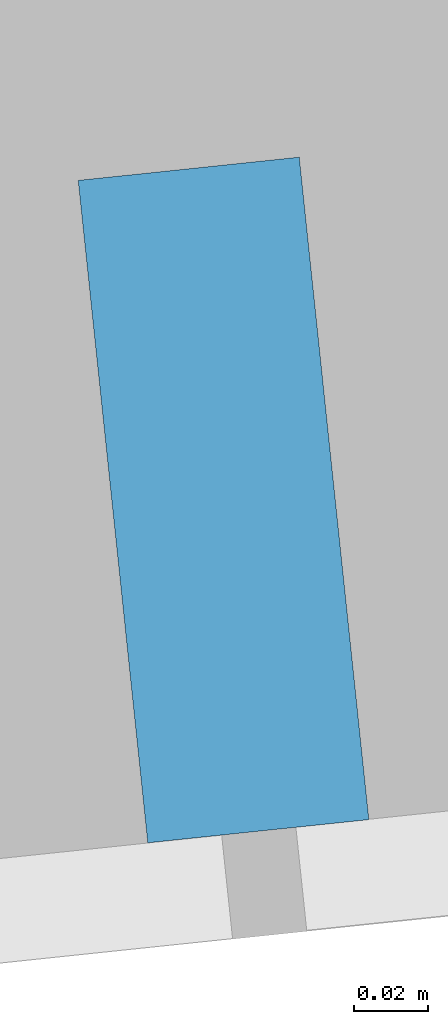
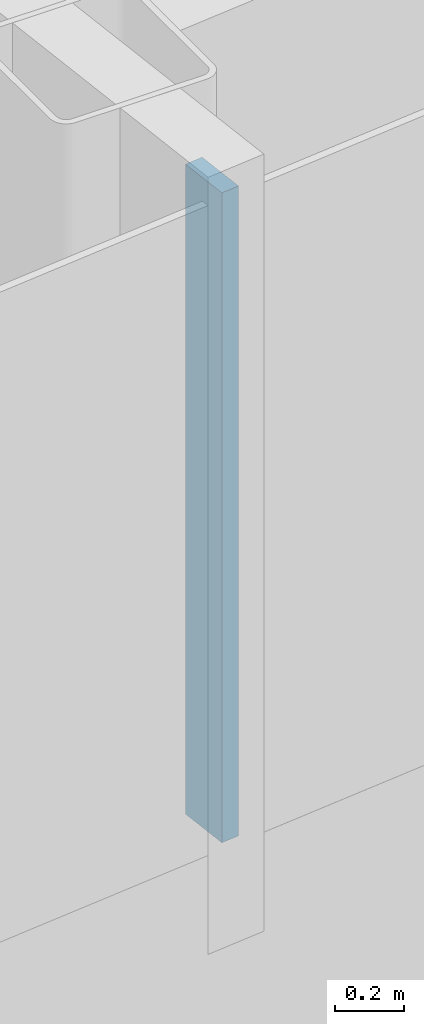
# One storey, part 7 of 27: 1 member, 1 element without a shape of its own.
"""IFC4 building model written with IfcOpenShell, lengths in metres."""

from ifc_helpers import new_model, si_unit, direction, frame, origin, origin_2d, place, context, subcontext, project, spatial, rectangle, extrude, material, layer, layer_set, material_profile, profile_set, type_object, element, aggregate, save


model = new_model("IFC4")

# Units and contexts
model_context = context("Model", 3, precision=1e-05, world=origin(), true_north=direction((0.0, 1.0)))
body_context = subcontext(model_context, "Body", "Model", "MODEL_VIEW")
ifc_project = project(units=[si_unit("LENGTHUNIT", "METRE"), si_unit("AREAUNIT", "SQUARE_METRE"), si_unit("VOLUMEUNIT", "CUBIC_METRE"), si_unit("PLANEANGLEUNIT", "RADIAN"), si_unit("MASSUNIT", "GRAM", prefix="KILO")], contexts=[model_context])

# Site, building, storey
site_placement = place(None, origin())
site = spatial("IfcSite", under=ifc_project, at=site_placement, CompositionType="ELEMENT")
building_placement = place(site_placement, origin())
building = spatial("IfcBuilding", under=site, at=building_placement, Name="Hakoniwa Tower and Hamabe Station Hall", CompositionType="ELEMENT")
storey_placement = place(building_placement, frame((0.0, 0.0, 242.199951171875)))
storey = spatial("IfcBuildingStorey", under=building, at=storey_placement, Name="L68", CompositionType="ELEMENT", Elevation=242.199951171875)

# Curtain wall, member
ifc_material_1 = material(Name="Dark low-e laminated glass", Category="glass")
ifc_layer = layer(ifc_material_1, 0.199951171875)
ifc_layer_set = layer_set([ifc_layer], Name="CW-1 UNITISED GUEST")
curtain_wall_type = type_object("IfcCurtainWallType", Name="CW-1 UNITISED GUEST", PredefinedType="NOTDEFINED", material=ifc_layer_set)
curtain_wall_placement = place(storey_placement, origin())
curtain_wall = element("IfcCurtainWall", 1, at=curtain_wall_placement, inside=storey, type_object=curtain_wall_type, Name="CW-1 curtain wall", PredefinedType="NOTDEFINED")
ifc_material_2 = material(Name="Aluminium 6063-T5 black anodised", Category="aluminium")
ifc_material_profile = material_profile(ifc_material_2, rectangle(XDim=0.06005859375, YDim=0.179931640625, at=origin_2d()), Name="CW-1 MULLION 60X180")
ifc_profile_set = profile_set([ifc_material_profile], Name="Aluminium 6063-T5 black anodised")
member_type = type_object("IfcMemberType", Name="CW-1 MULLION 60X180", PredefinedType="MULLION", material=ifc_profile_set)
member_placement = place(storey_placement, frame((18.50390625, -12.831787109375, 0.35009765625), z_axis=(0.0, 0.0, 1.0), x_axis=(0.994521895272, 0.104528464188, 0.0)))
member = element("IfcMember", 2, at=member_placement, type_object=member_type, Name="CW-1 mullion", PredefinedType="MULLION", context=body_context, shape_type="SweptSolid", body=[
    extrude(rectangle(XDim=0.06005859375, YDim=0.179931640625, at=origin_2d()), origin(), (0.0, 0.0, 1.0), 2.300048828125),
])
aggregate(curtain_wall, [member])

save(model, "model.ifc")
